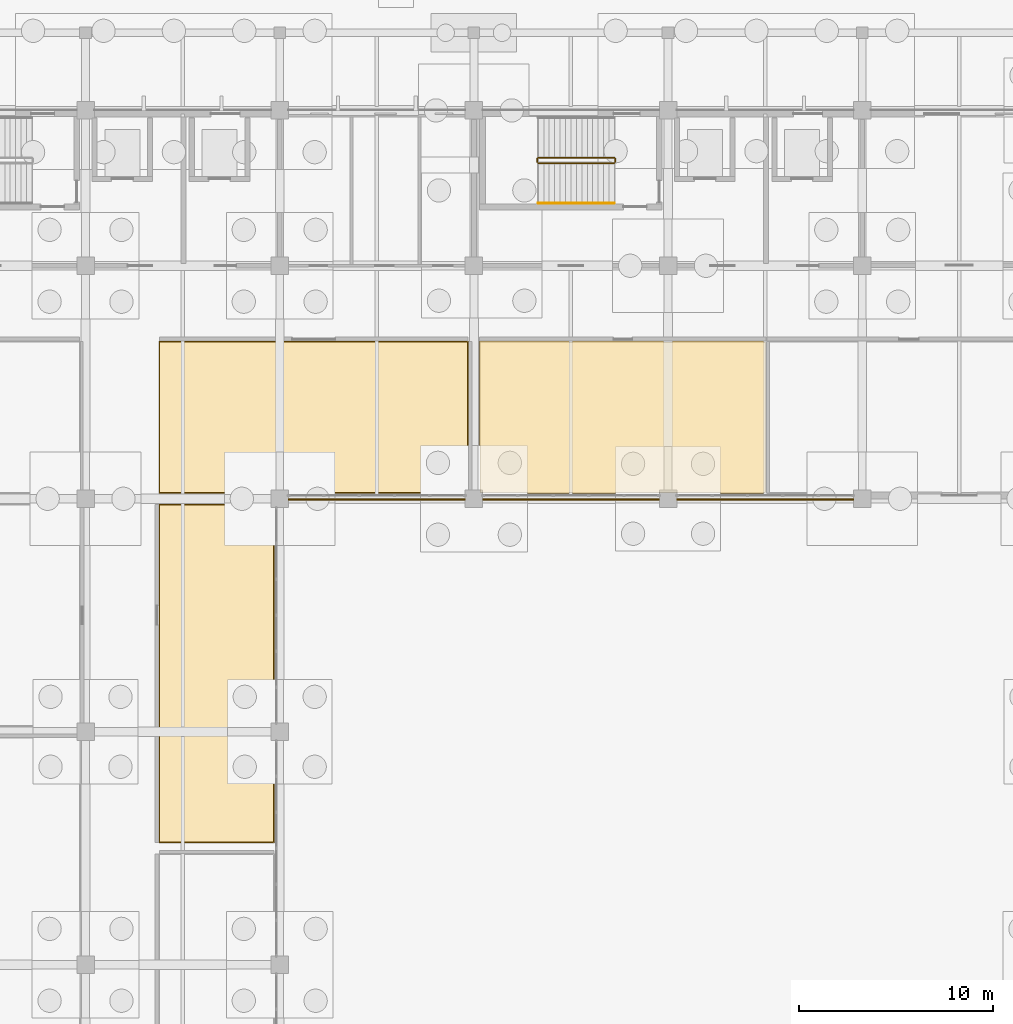
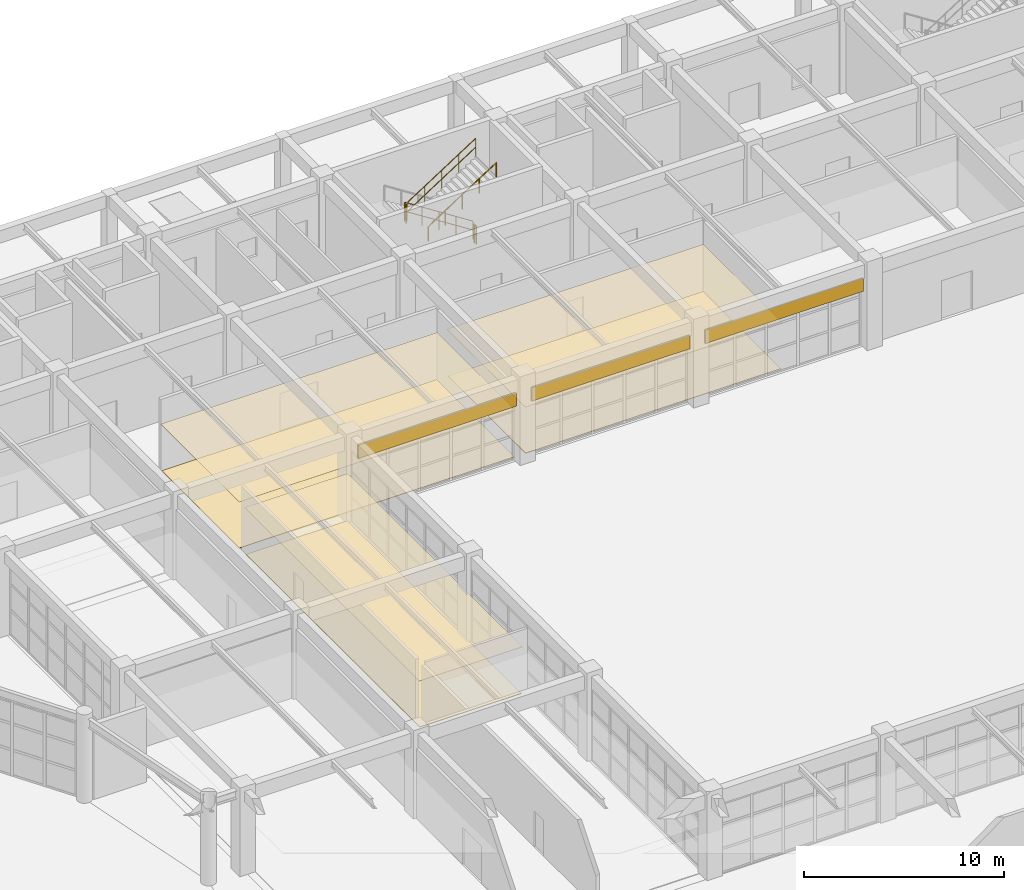
# One storey, part 96 of 99: 9 coverings, 5 railings.
"""IFC4 building model written with IfcOpenShell, lengths in metres."""

from ifc_helpers import new_model, si_unit, direction, frame, frame_2d, origin, origin_2d, place, context, subcontext, project, spatial, polyline, rectangle, circle, outline, extrude, material, layer, layer_set, type_object, element, save


model = new_model("IFC4")

# Units and contexts
model_context = context("Model", 3, precision=1e-05, world=origin(), true_north=direction((0.0, 1.0)))
body_context = subcontext(model_context, "Body", "Model", "MODEL_VIEW")
ifc_project = project(units=[si_unit("LENGTHUNIT", "METRE"), si_unit("AREAUNIT", "SQUARE_METRE"), si_unit("VOLUMEUNIT", "CUBIC_METRE"), si_unit("PLANEANGLEUNIT", "RADIAN"), si_unit("MASSUNIT", "GRAM", prefix="KILO")], contexts=[model_context])

# Site, building, storey
site_placement = place(None, origin())
site = spatial("IfcSite", under=ifc_project, at=site_placement, CompositionType="ELEMENT")
building_placement = place(site_placement, origin())
building = spatial("IfcBuilding", under=site, at=building_placement, Name="Kivolera Central Railway Station", CompositionType="ELEMENT")
storey_placement = place(building_placement, origin())
storey = spatial("IfcBuildingStorey", under=building, at=storey_placement, Name="L00", CompositionType="ELEMENT", Elevation=0.0)

# Coverings
ifc_material_1 = material(Name="Mineral fibre acoustic tile")
ifc_layer_1 = layer(ifc_material_1, 0.02001953125, Name="Mineral fibre acoustic tile")
ifc_layer_set_1 = layer_set([ifc_layer_1], Name="Mineral fibre acoustic tile")
covering_type_1 = type_object("IfcCoveringType", Name="COV-CEIL-20", PredefinedType="CEILING", material=ifc_layer_set_1)
covering_1_placement = place(storey_placement, frame((0.0, 0.0, 2.85009765625)))
element("IfcCovering", 1, at=covering_1_placement, inside=storey, type_object=covering_type_1, Name="L00 Station Pharmacy and Travel Retail Shop Acoustic Ceiling", PredefinedType="CEILING", context=body_context, shape_type="SweptSolid", body=[
    extrude(outline(polyline([(131.780029296875, 114.280029296875), (147.719970703125, 114.280029296875), (147.719970703125, 122.1201171875), (131.780029296875, 122.1201171875), (131.780029296875, 114.280029296875)])), origin(), (0.0, 0.0, 1.0), 0.02001953125),
])
ifc_material_2 = material(Name="Hardwood mvule timber", Category="wood")
ifc_layer_2 = layer(ifc_material_2, 0.02490234375, Name="Hardwood mvule timber")
ifc_layer_set_2 = layer_set([ifc_layer_2], Name="Hardwood mvule timber")
covering_type_2 = type_object("IfcCoveringType", Name="COV-CEIL-25", PredefinedType="CEILING", material=ifc_layer_set_2)
covering_2_placement = place(storey_placement, frame((0.0, 0.0, 2.85009765625)))
element("IfcCovering", 2, at=covering_2_placement, inside=storey, type_object=covering_type_2, Name="L00 Swahili Craft and Book Retail Shop Acoustic Ceiling", PredefinedType="CEILING", context=body_context, shape_type="SweptSolid", body=[
    extrude(outline(polyline([(148.280029296875, 114.280029296875), (163.070068359375, 114.280029296875), (163.070068359375, 122.1201171875), (148.280029296875, 122.1201171875), (148.280029296875, 114.280029296875)])), origin(), (0.0, 0.0, 1.0), 0.02490234375),
])
ifc_layer_3 = layer(ifc_material_1, 0.030029296875, Name="Mineral fibre acoustic tile")
ifc_layer_set_3 = layer_set([ifc_layer_3], Name="Mineral fibre acoustic tile")
covering_type_3 = type_object("IfcCoveringType", Name="COV-CEIL-30", PredefinedType="CEILING", material=ifc_layer_set_3)
covering_3_placement = place(storey_placement, frame((0.0, 0.0, 2.85009765625)))
element("IfcCovering", 3, at=covering_3_placement, inside=storey, type_object=covering_type_3, Name="L00 Mobile Telecoms Service Shop Acoustic Ceiling", PredefinedType="CEILING", context=body_context, shape_type="SweptSolid", body=[
    extrude(outline(polyline([(131.780029296875, 96.280029296875), (137.719970703125, 96.280029296875), (137.719970703125, 113.719970703125), (131.780029296875, 113.719970703125), (131.780029296875, 96.280029296875)])), origin(), (0.0, 0.0, 1.0), 0.02978515625),
])
ifc_material_3 = material(Name="Precast concrete C40/50", Category="concrete")
ifc_layer_4 = layer(ifc_material_3, 0.090087890625, Name="Precast concrete C40/50")
ifc_layer_set_4 = layer_set([ifc_layer_4], Name="Precast concrete C40/50")
covering_type_4 = type_object("IfcCoveringType", Name="COV-CLAUSTRA-90", PredefinedType="CLADDING", material=ifc_layer_set_4)
for number, where, z_axis, x_axis, name in (
    (4, (147.554931640625, 113.9599609375, 3.407958984375), (0.0, 0.0, 1.0), (-1.0, 0.0, 0.0), "L00 Monsoon Court Precast Claustra Screen 138"),
    (5, (157.554931640625, 113.9599609375, 3.407958984375), (0.0, 0.0, 1.0), (-1.0, 0.0, 0.0), "L00 Monsoon Court Precast Claustra Screen 148"),
    (6, (167.554931640625, 113.9599609375, 3.407958984375), (0.0, 0.0, 1.0), (-1.0, 0.0, 0.0), "L00 Monsoon Court Precast Claustra Screen 158"),
):
    element("IfcCovering", number, at=place(storey_placement, frame(where, z_axis=z_axis, x_axis=x_axis)), inside=storey, type_object=covering_type_4, Name=name, PredefinedType="CLADDING", context=body_context, shape_type="SweptSolid", body=[
        extrude(rectangle(XDim=9.10986328125, YDim=0.090087890625, at=frame_2d((4.554931640625, 0.0))), origin(), (0.0, 0.0, 1.0), 0.800048828125),
    ])
ifc_material_4 = material(Name="Swahili coral limestone", Category="masonry")
ifc_layer_5 = layer(ifc_material_4, 0.034912109375, Name="Swahili coral limestone")
ifc_layer_set_5 = layer_set([ifc_layer_5], Name="Swahili coral limestone")
covering_type_5 = type_object("IfcCoveringType", Name="COV-FLR-35", PredefinedType="FLOORING", material=ifc_layer_set_5)
covering_4_placement = place(storey_placement, origin())
element("IfcCovering", 7, at=covering_4_placement, inside=storey, type_object=covering_type_5, Name="L00 Station Pharmacy and Travel Retail Shop Floor Finish", PredefinedType="FLOORING", context=body_context, shape_type="SweptSolid", body=[
    extrude(outline(polyline([(131.820068359375, 114.320068359375), (147.679931640625, 114.320068359375), (147.679931640625, 122.080078125), (131.820068359375, 122.080078125), (131.820068359375, 114.320068359375)])), origin(), (0.0, 0.0, 1.0), 0.034912109375),
])
covering_5_placement = place(storey_placement, origin())
element("IfcCovering", 8, at=covering_5_placement, inside=storey, type_object=covering_type_5, Name="L00 Swahili Craft and Book Retail Shop Floor Finish", PredefinedType="FLOORING", context=body_context, shape_type="SweptSolid", body=[
    extrude(outline(polyline([(148.320068359375, 114.320068359375), (163.030029296875, 114.320068359375), (163.030029296875, 122.080078125), (148.320068359375, 122.080078125), (148.320068359375, 114.320068359375)])), origin(), (0.0, 0.0, 1.0), 0.034912109375),
])
covering_6_placement = place(storey_placement, origin())
element("IfcCovering", 9, at=covering_6_placement, inside=storey, type_object=covering_type_5, Name="L00 Mobile Telecoms Service Shop Floor Finish", PredefinedType="FLOORING", context=body_context, shape_type="SweptSolid", body=[
    extrude(outline(polyline([(131.820068359375, 96.320068359375), (137.679931640625, 96.320068359375), (137.679931640625, 113.679931640625), (131.820068359375, 113.679931640625), (131.820068359375, 96.320068359375)])), origin(), (0.0, 0.0, 1.0), 0.034912109375),
])

# Railings
ifc_material_5 = material(Name="Anodised aluminium", Category="aluminium")
ifc_layer_6 = layer(ifc_material_5, 0.048095703125, Name="Anodised aluminium")
ifc_layer_set_6 = layer_set([ifc_layer_6], Name="Anodised aluminium")
railing_type_1 = type_object("IfcRailingType", Name="RL-STAIR-GUARD", PredefinedType="GUARDRAIL", material=ifc_layer_set_6)
railing_1_placement = place(storey_placement, frame((155.239990234375, 131.570068359375, 0.179931640625)))
element("IfcRailing", 10, at=railing_1_placement, inside=storey, type_object=railing_type_1, Name="L00 ST2 stair guard 1", PredefinedType="GUARDRAIL", context=body_context, shape_type="SweptSolid", body=[
    extrude(circle(Radius=0.02392578125, at=origin_2d()), frame((0.0, 0.0, 1.10595703125), z_axis=(-0.841171666519, 0.0, 0.540768182723), x_axis=(0.0, -1.0, 0.0)), (0.0, 0.0, 1.0), 4.66015625),
    extrude(circle(Radius=0.02392578125, at=origin_2d()), frame((0.0, 0.0, 0.56494140625), z_axis=(-0.841171666519, 0.0, 0.540768182723), x_axis=(0.0, -1.0, 0.0)), (0.0, 0.0, 1.0), 4.66015625),
    extrude(circle(Radius=0.02099609375, at=origin_2d()), origin(), (0.0, 0.0, 1.0), 1.081787109375),
    extrude(circle(Radius=0.02099609375, at=origin_2d()), frame((-0.97998046875, 0.0, 0.6298828125)), (0.0, 0.0, 1.0), 1.081787109375),
    extrude(circle(Radius=0.02099609375, at=origin_2d()), frame((-1.9599609375, 0.0, 1.260009765625)), (0.0, 0.0, 1.0), 1.081787109375),
    extrude(circle(Radius=0.02099609375, at=origin_2d()), frame((-2.93994140625, 0.0, 1.89013671875)), (0.0, 0.0, 1.0), 1.081787109375),
    extrude(circle(Radius=0.02099609375, at=origin_2d()), frame((-3.919921875, 0.0, 2.52001953125)), (0.0, 0.0, 1.0), 1.081787109375),
])
railing_2_placement = place(storey_placement, frame((151.27001953125, 131.52001953125, 2.699951171875)))
element("IfcRailing", 11, at=railing_2_placement, inside=storey, type_object=railing_type_1, Name="L00 ST2 stair guard 2", PredefinedType="GUARDRAIL", context=body_context, shape_type="SweptSolid", body=[
    extrude(circle(Radius=0.02392578125, at=origin_2d()), frame((0.0, 0.0, 1.10595703125), z_axis=(0.0, -1.0, 0.0), x_axis=(1.0, 0.0, 0.0)), (0.0, 0.0, 1.0), 0.179931640625),
    extrude(circle(Radius=0.02392578125, at=origin_2d()), frame((0.0, 0.0, 0.56494140625), z_axis=(0.0, -1.0, 0.0), x_axis=(1.0, 0.0, 0.0)), (0.0, 0.0, 1.0), 0.179931640625),
    extrude(circle(Radius=0.02099609375, at=origin_2d()), origin(), (0.0, 0.0, 1.0), 1.081787109375),
    extrude(circle(Radius=0.02099609375, at=origin_2d()), frame((0.0, -0.179931640625, 0.0)), (0.0, 0.0, 1.0), 1.081787109375),
])
railing_3_placement = place(storey_placement, frame((151.320068359375, 131.2900390625, 2.8798828125)))
element("IfcRailing", 12, at=railing_3_placement, inside=storey, type_object=railing_type_1, Name="L00 ST2 stair guard 3", PredefinedType="GUARDRAIL", context=body_context, shape_type="SweptSolid", body=[
    extrude(circle(Radius=0.02392578125, at=origin_2d()), frame((0.0, 0.0, 1.10595703125), z_axis=(0.841171666519, 0.0, 0.540768182723), x_axis=(0.0, 1.0, 0.0)), (0.0, 0.0, 1.0), 4.66015625),
    extrude(circle(Radius=0.02392578125, at=origin_2d()), frame((0.0, 0.0, 0.56494140625), z_axis=(0.841171666519, 0.0, 0.540768182723), x_axis=(0.0, 1.0, 0.0)), (0.0, 0.0, 1.0), 4.66015625),
    extrude(circle(Radius=0.02099609375, at=origin_2d()), origin(), (0.0, 0.0, 1.0), 1.081787109375),
    extrude(circle(Radius=0.02099609375, at=origin_2d()), frame((0.97998046875, 0.0, 0.6298828125)), (0.0, 0.0, 1.0), 1.081787109375),
    extrude(circle(Radius=0.02099609375, at=origin_2d()), frame((1.9599609375, 0.0, 1.260009765625)), (0.0, 0.0, 1.0), 1.081787109375),
    extrude(circle(Radius=0.02099609375, at=origin_2d()), frame((2.93994140625, 0.0, 1.89013671875)), (0.0, 0.0, 1.0), 1.081787109375),
    extrude(circle(Radius=0.02099609375, at=origin_2d()), frame((3.919921875, 0.0, 2.52001953125)), (0.0, 0.0, 1.0), 1.081787109375),
])
railing_4_placement = place(storey_placement, frame((155.2900390625, 131.52001953125, 0.0)))
element("IfcRailing", 13, at=railing_4_placement, inside=storey, type_object=railing_type_1, Name="L00 ST2 stair guard 4", PredefinedType="GUARDRAIL", context=body_context, shape_type="SweptSolid", body=[
    extrude(circle(Radius=0.02392578125, at=origin_2d()), frame((0.0, 0.0, 1.10595703125), z_axis=(0.0, -1.0, 0.0), x_axis=(1.0, 0.0, 0.0)), (0.0, 0.0, 1.0), 0.179931640625),
    extrude(circle(Radius=0.02392578125, at=origin_2d()), frame((0.0, 0.0, 0.56494140625), z_axis=(0.0, -1.0, 0.0), x_axis=(1.0, 0.0, 0.0)), (0.0, 0.0, 1.0), 0.179931640625),
    extrude(circle(Radius=0.02099609375, at=origin_2d()), origin(), (0.0, 0.0, 1.0), 1.081787109375),
    extrude(circle(Radius=0.02099609375, at=origin_2d()), frame((0.0, -0.179931640625, 0.0)), (0.0, 0.0, 1.0), 1.081787109375),
])
ifc_layer_7 = layer(ifc_material_5, 0.048095703125, Name="Anodised aluminium")
ifc_layer_set_7 = layer_set([ifc_layer_7], Name="Anodised aluminium")
railing_type_2 = type_object("IfcRailingType", Name="RL-STAIR-HAND", PredefinedType="HANDRAIL", material=ifc_layer_set_7)
railing_5_placement = place(storey_placement, frame((151.320068359375, 129.22998046875, 2.8798828125)))
element("IfcRailing", 14, at=railing_5_placement, inside=storey, type_object=railing_type_2, Name="L00 ST2 stair handrail 2", PredefinedType="HANDRAIL", context=body_context, shape_type="SweptSolid", body=[
    extrude(circle(Radius=0.02392578125, at=origin_2d()), frame((0.0, 0.0, 0.8759765625), z_axis=(0.841171666519, 0.0, 0.540768182723), x_axis=(0.0, 1.0, 0.0)), (0.0, 0.0, 1.0), 4.66015625),
    extrude(circle(Radius=0.02099609375, at=origin_2d()), origin(), (0.0, 0.0, 1.0), 0.851806640625),
    extrude(circle(Radius=0.02099609375, at=origin_2d()), frame((0.97998046875, 0.0, 0.6298828125)), (0.0, 0.0, 1.0), 0.851806640625),
    extrude(circle(Radius=0.02099609375, at=origin_2d()), frame((1.9599609375, 0.0, 1.260009765625)), (0.0, 0.0, 1.0), 0.851806640625),
    extrude(circle(Radius=0.02099609375, at=origin_2d()), frame((2.93994140625, 0.0, 1.89013671875)), (0.0, 0.0, 1.0), 0.851806640625),
    extrude(circle(Radius=0.02099609375, at=origin_2d()), frame((3.919921875, 0.0, 2.52001953125)), (0.0, 0.0, 1.0), 0.851806640625),
])

save(model, "model.ifc")
